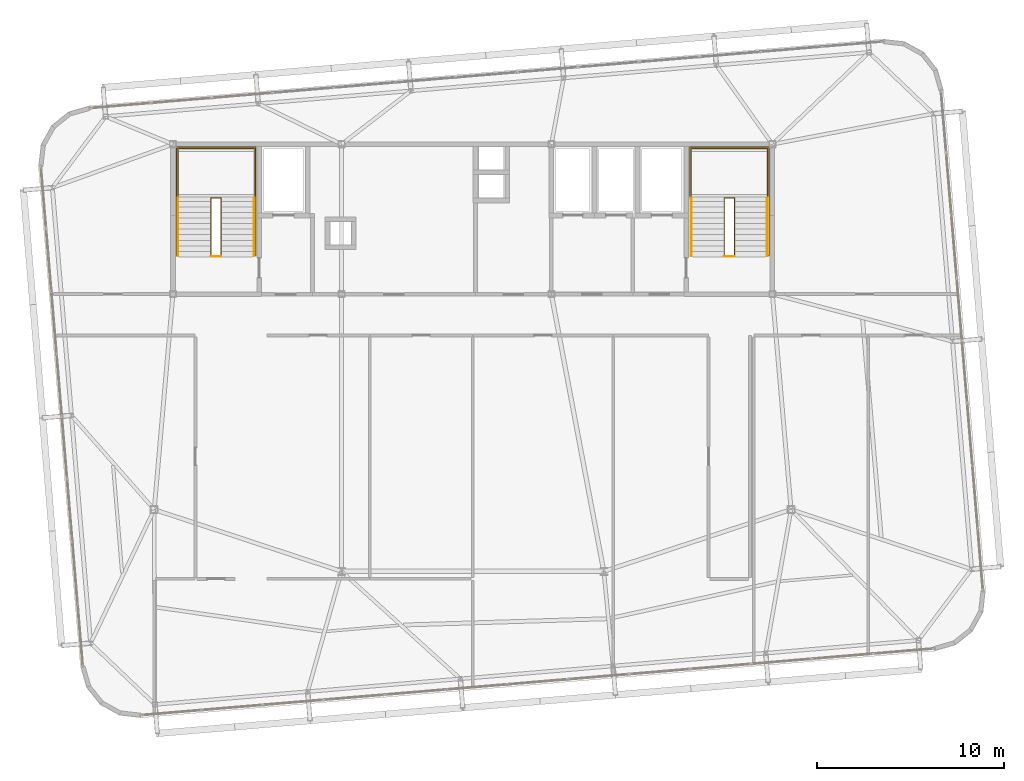
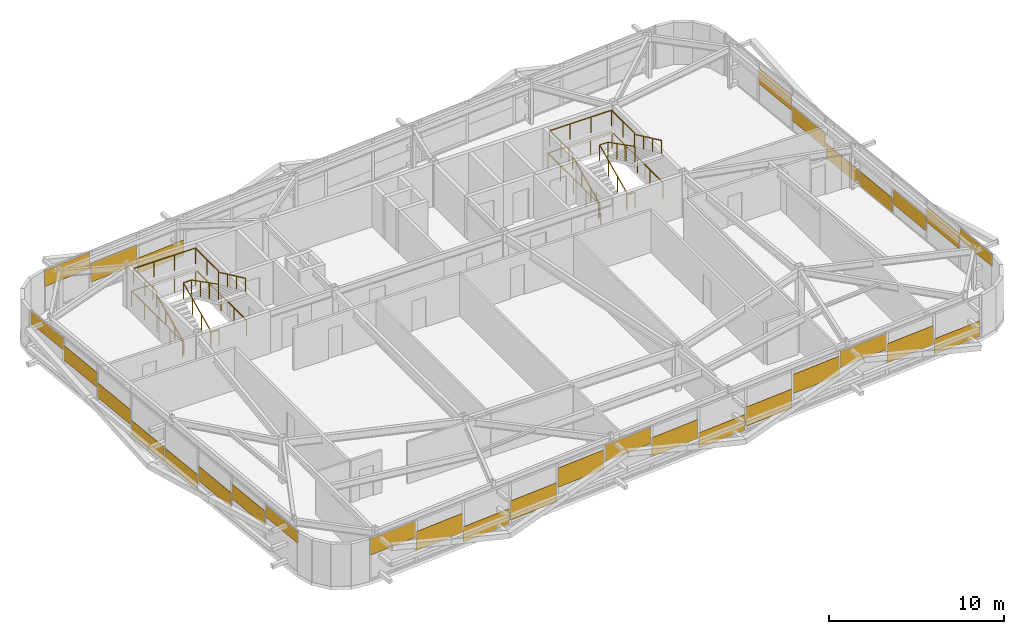
# One storey, part 45 of 46: 31 coverings, 12 railings.
"""IFC4 building model written with IfcOpenShell, lengths in metres."""

from ifc_helpers import new_model, si_unit, direction, frame, origin, origin_2d, place, context, subcontext, project, spatial, rectangle, extrude, source, transform, mapped, material, layer, layer_set, type_object, element, save


model = new_model("IFC4")

# Units and contexts
model_context = context("Model", 3, precision=1e-05, world=origin(), true_north=direction((0.0, 1.0)))
body_context = subcontext(model_context, "Body", "Model", "MODEL_VIEW")
ifc_project = project(units=[si_unit("LENGTHUNIT", "METRE"), si_unit("AREAUNIT", "SQUARE_METRE"), si_unit("VOLUMEUNIT", "CUBIC_METRE"), si_unit("PLANEANGLEUNIT", "RADIAN"), si_unit("MASSUNIT", "GRAM", prefix="KILO")], contexts=[model_context])

# Site, building, storey
site_placement = place(None, origin())
site = spatial("IfcSite", under=ifc_project, at=site_placement, CompositionType="ELEMENT")
building_placement = place(site_placement, origin())
building = spatial("IfcBuilding", under=site, at=building_placement, Name="Taldren Reach Tower", CompositionType="ELEMENT")
storey_placement = place(building_placement, frame((0.0, 0.0, 188.300048828125)))
storey = spatial("IfcBuildingStorey", under=building, at=storey_placement, Name="L57", CompositionType="ELEMENT", Elevation=188.300048828125)

# Railings
ifc_material_1 = material(Name="Steel Gr 350 (C350L0)", Category="steel")
ifc_layer_1 = layer(ifc_material_1, 0.050048828125)
ifc_layer_set_1 = layer_set([ifc_layer_1], Name="Steel Gr 350 (C350L0)")
railing_type_1 = type_object("IfcRailingType", Name="RL-STAIR-GR", PredefinedType="GUARDRAIL", material=ifc_layer_set_1)
railing_1_placement = place(storey_placement, frame((19.260009765625, 29.135009765625, 1.574951171875)))
element("IfcRailing", 1, at=railing_1_placement, inside=storey, type_object=railing_type_1, Name="Stair half-landing perimeter guard ST1-L57", PredefinedType="GUARDRAIL", context=body_context, shape_type="SweptSolid", body=[
    extrude(rectangle(XDim=0.047852, YDim=0.047852, at=origin_2d()), frame((0.0, 0.0, 1.09619140625), z_axis=(0.0, 1.0, 0.0), x_axis=(-1.0, 0.0, 0.0)), (0.0, 0.0, 1.0), 2.64501953125),
    extrude(rectangle(XDim=0.047852, YDim=0.047852, at=origin_2d()), frame((0.0, 2.64501953125, 1.09619140625), z_axis=(1.0, 0.0, 0.0), x_axis=(0.0, 1.0, 0.0)), (0.0, 0.0, 1.0), 4.080078125),
    extrude(rectangle(XDim=0.047852, YDim=0.047852, at=origin_2d()), frame((4.080078125, 2.64501953125, 1.09619140625), z_axis=(0.0, -1.0, 0.0), x_axis=(1.0, 0.0, 0.0)), (0.0, 0.0, 1.0), 2.64501953125),
    extrude(rectangle(XDim=0.041992, YDim=0.041992, at=origin_2d()), origin(), (0.0, 0.0, 1.0), 1.072021484375),
    extrude(rectangle(XDim=0.041992, YDim=0.041992, at=origin_2d()), frame((0.0, 1.322509765625, 0.0)), (0.0, 0.0, 1.0), 1.072021484375),
    extrude(rectangle(XDim=0.041992, YDim=0.041992, at=origin_2d()), frame((0.0, 2.64501953125, 0.0)), (0.0, 0.0, 1.0), 1.072021484375),
    extrude(rectangle(XDim=0.041992, YDim=0.041992, at=origin_2d()), frame((1.360107421875, 2.64501953125, 0.0)), (0.0, 0.0, 1.0), 1.072021484375),
    extrude(rectangle(XDim=0.041992, YDim=0.041992, at=origin_2d()), frame((2.719970703125, 2.64501953125, 0.0)), (0.0, 0.0, 1.0), 1.072021484375),
    extrude(rectangle(XDim=0.041992, YDim=0.041992, at=origin_2d()), frame((4.080078125, 2.64501953125, 0.0)), (0.0, 0.0, 1.0), 1.072021484375),
    extrude(rectangle(XDim=0.041992, YDim=0.041992, at=origin_2d()), frame((4.080078125, 1.322509765625, 0.0)), (0.0, 0.0, 1.0), 1.072021484375),
    extrude(rectangle(XDim=0.041992, YDim=0.041992, at=origin_2d()), frame((4.080078125, 0.0, 0.0)), (0.0, 0.0, 1.0), 1.072021484375),
])
railing_2_placement = place(storey_placement, frame((21.030029296875, 26.050048828125, 0.13134765625)))
element("IfcRailing", 2, at=railing_2_placement, inside=storey, type_object=railing_type_1, Name="Stairwell inner guard ST1-L57", PredefinedType="GUARDRAIL", context=body_context, shape_type="SweptSolid", body=[
    extrude(rectangle(XDim=0.047852, YDim=0.047852, at=origin_2d()), frame((0.0, 0.0, 1.09619140625), z_axis=(0.0, 0.905737652094, 0.423838773095), x_axis=(-1.0, 0.0, 0.0)), (0.0, 0.0, 1.0), 3.406005859375),
    extrude(rectangle(XDim=0.047852, YDim=0.047852, at=origin_2d()), frame((0.0, 3.0849609375, 2.53955078125), z_axis=(1.0, 0.0, 0.0), x_axis=(0.0, 1.0, 0.0)), (0.0, 0.0, 1.0), 0.5400390625),
    extrude(rectangle(XDim=0.047852, YDim=0.047852, at=origin_2d()), frame((0.5400390625, 3.0849609375, 2.53955078125), z_axis=(0.0, -0.890645957773, 0.45469745755), x_axis=(1.0, 0.0, 0.0)), (0.0, 0.0, 1.0), 3.463623046875),
    extrude(rectangle(XDim=0.041992, YDim=0.041992, at=origin_2d()), origin(), (0.0, 0.0, 1.0), 1.072021484375),
    extrude(rectangle(XDim=0.041992, YDim=0.041992, at=origin_2d()), frame((0.0, 1.0283203125, 0.481201171875)), (0.0, 0.0, 1.0), 1.072021484375),
    extrude(rectangle(XDim=0.041992, YDim=0.041992, at=origin_2d()), frame((0.0, 2.056640625, 0.96240234375)), (0.0, 0.0, 1.0), 1.072021484375),
    extrude(rectangle(XDim=0.041992, YDim=0.041992, at=origin_2d()), frame((0.0, 3.0849609375, 1.443603515625)), (0.0, 0.0, 1.0), 1.072021484375),
    extrude(rectangle(XDim=0.041992, YDim=0.041992, at=origin_2d()), frame((0.5400390625, 3.0849609375, 1.443603515625)), (0.0, 0.0, 1.0), 1.072021484375),
    extrude(rectangle(XDim=0.041992, YDim=0.041992, at=origin_2d()), frame((0.5400390625, 2.056640625, 1.968505859375)), (0.0, 0.0, 1.0), 1.072021484375),
    extrude(rectangle(XDim=0.041992, YDim=0.041992, at=origin_2d()), frame((0.5400390625, 1.0283203125, 2.49365234375)), (0.0, 0.0, 1.0), 1.072021484375),
    extrude(rectangle(XDim=0.041992, YDim=0.041992, at=origin_2d()), frame((0.5400390625, 0.0, 3.0185546875)), (0.0, 0.0, 1.0), 1.072021484375),
])
railing_3_placement = place(storey_placement, frame((21.030029296875, 26.010009765625, 0.0)))
element("IfcRailing", 3, at=railing_3_placement, inside=storey, type_object=railing_type_1, Name="Stairwell landing slot guard ST1-L57", PredefinedType="GUARDRAIL", context=body_context, shape_type="SweptSolid", body=[
    extrude(rectangle(XDim=0.047852, YDim=0.047852, at=origin_2d()), frame((0.0, 0.0, 1.09619140625), z_axis=(1.0, 0.0, 0.0), x_axis=(0.0, 1.0, 0.0)), (0.0, 0.0, 1.0), 0.5400390625),
    extrude(rectangle(XDim=0.041992, YDim=0.041992, at=origin_2d()), origin(), (0.0, 0.0, 1.0), 1.072021484375),
    extrude(rectangle(XDim=0.041992, YDim=0.041992, at=origin_2d()), frame((0.5400390625, 0.0, 0.0)), (0.0, 0.0, 1.0), 1.072021484375),
])
railing_4_placement = place(storey_placement, frame((19.18994140625, 26.050048828125, 0.0)))
element("IfcRailing", 4, at=railing_4_placement, inside=storey, type_object=railing_type_1, Name="Stairwell floor opening guard ST1-L57", PredefinedType="GUARDRAIL", context=body_context, shape_type="SweptSolid", body=[
    extrude(rectangle(XDim=0.047852, YDim=0.047852, at=origin_2d()), frame((0.0, 0.0, 1.09619140625), z_axis=(0.0, 1.0, 0.0), x_axis=(-1.0, 0.0, 0.0)), (0.0, 0.0, 1.0), 5.800048828125),
    extrude(rectangle(XDim=0.047852, YDim=0.047852, at=origin_2d()), frame((0.0, 5.800048828125, 1.09619140625), z_axis=(1.0, 0.0, 0.0), x_axis=(0.0, 1.0, 0.0)), (0.0, 0.0, 1.0), 4.219970703125),
    extrude(rectangle(XDim=0.047852, YDim=0.047852, at=origin_2d()), frame((4.219970703125, 5.800048828125, 1.09619140625), z_axis=(0.0, -1.0, 0.0), x_axis=(1.0, 0.0, 0.0)), (0.0, 0.0, 1.0), 5.800048828125),
    extrude(rectangle(XDim=0.041992, YDim=0.041992, at=origin_2d()), origin(), (0.0, 0.0, 1.0), 1.072021484375),
    extrude(rectangle(XDim=0.041992, YDim=0.041992, at=origin_2d()), frame((0.0, 1.449951171875, 0.0)), (0.0, 0.0, 1.0), 1.072021484375),
    extrude(rectangle(XDim=0.041992, YDim=0.041992, at=origin_2d()), frame((0.0, 2.89990234375, 0.0)), (0.0, 0.0, 1.0), 1.072021484375),
    extrude(rectangle(XDim=0.041992, YDim=0.041992, at=origin_2d()), frame((0.0, 4.35009765625, 0.0)), (0.0, 0.0, 1.0), 1.072021484375),
    extrude(rectangle(XDim=0.041992, YDim=0.041992, at=origin_2d()), frame((0.0, 5.800048828125, 0.0)), (0.0, 0.0, 1.0), 1.072021484375),
    extrude(rectangle(XDim=0.041992, YDim=0.041992, at=origin_2d()), frame((1.40673828125, 5.800048828125, 0.0)), (0.0, 0.0, 1.0), 1.072021484375),
    extrude(rectangle(XDim=0.041992, YDim=0.041992, at=origin_2d()), frame((2.813232421875, 5.800048828125, 0.0)), (0.0, 0.0, 1.0), 1.072021484375),
    extrude(rectangle(XDim=0.041992, YDim=0.041992, at=origin_2d()), frame((4.219970703125, 5.800048828125, 0.0)), (0.0, 0.0, 1.0), 1.072021484375),
    extrude(rectangle(XDim=0.041992, YDim=0.041992, at=origin_2d()), frame((4.219970703125, 4.35009765625, 0.0)), (0.0, 0.0, 1.0), 1.072021484375),
    extrude(rectangle(XDim=0.041992, YDim=0.041992, at=origin_2d()), frame((4.219970703125, 2.89990234375, 0.0)), (0.0, 0.0, 1.0), 1.072021484375),
    extrude(rectangle(XDim=0.041992, YDim=0.041992, at=origin_2d()), frame((4.219970703125, 1.449951171875, 0.0)), (0.0, 0.0, 1.0), 1.072021484375),
    extrude(rectangle(XDim=0.041992, YDim=0.041992, at=origin_2d()), frame((4.219970703125, 0.0, 0.0)), (0.0, 0.0, 1.0), 1.072021484375),
])
railing_5_placement = place(storey_placement, frame((46.659912109375, 29.135009765625, 1.574951171875)))
element("IfcRailing", 5, at=railing_5_placement, inside=storey, type_object=railing_type_1, Name="Stair half-landing perimeter guard ST2-L57", PredefinedType="GUARDRAIL", context=body_context, shape_type="SweptSolid", body=[
    extrude(rectangle(XDim=0.047852, YDim=0.047852, at=origin_2d()), frame((0.0, 0.0, 1.09619140625), z_axis=(0.0, 1.0, 0.0), x_axis=(-1.0, 0.0, 0.0)), (0.0, 0.0, 1.0), 2.64501953125),
    extrude(rectangle(XDim=0.047852, YDim=0.047852, at=origin_2d()), frame((0.0, 2.64501953125, 1.09619140625), z_axis=(1.0, 0.0, 0.0), x_axis=(0.0, 1.0, 0.0)), (0.0, 0.0, 1.0), 4.080078125),
    extrude(rectangle(XDim=0.047852, YDim=0.047852, at=origin_2d()), frame((4.080078125, 2.64501953125, 1.09619140625), z_axis=(0.0, -1.0, 0.0), x_axis=(1.0, 0.0, 0.0)), (0.0, 0.0, 1.0), 2.64501953125),
    extrude(rectangle(XDim=0.041992, YDim=0.041992, at=origin_2d()), origin(), (0.0, 0.0, 1.0), 1.072021484375),
    extrude(rectangle(XDim=0.041992, YDim=0.041992, at=origin_2d()), frame((0.0, 1.322509765625, 0.0)), (0.0, 0.0, 1.0), 1.072021484375),
    extrude(rectangle(XDim=0.041992, YDim=0.041992, at=origin_2d()), frame((0.0, 2.64501953125, 0.0)), (0.0, 0.0, 1.0), 1.072021484375),
    extrude(rectangle(XDim=0.041992, YDim=0.041992, at=origin_2d()), frame((1.360107421875, 2.64501953125, 0.0)), (0.0, 0.0, 1.0), 1.072021484375),
    extrude(rectangle(XDim=0.041992, YDim=0.041992, at=origin_2d()), frame((2.719970703125, 2.64501953125, 0.0)), (0.0, 0.0, 1.0), 1.072021484375),
    extrude(rectangle(XDim=0.041992, YDim=0.041992, at=origin_2d()), frame((4.080078125, 2.64501953125, 0.0)), (0.0, 0.0, 1.0), 1.072021484375),
    extrude(rectangle(XDim=0.041992, YDim=0.041992, at=origin_2d()), frame((4.080078125, 1.322509765625, 0.0)), (0.0, 0.0, 1.0), 1.072021484375),
    extrude(rectangle(XDim=0.041992, YDim=0.041992, at=origin_2d()), frame((4.080078125, 0.0, 0.0)), (0.0, 0.0, 1.0), 1.072021484375),
])
railing_6_placement = place(storey_placement, frame((48.429931640625, 26.050048828125, 0.13134765625)))
element("IfcRailing", 6, at=railing_6_placement, inside=storey, type_object=railing_type_1, Name="Stairwell inner guard ST2-L57", PredefinedType="GUARDRAIL", context=body_context, shape_type="SweptSolid", body=[
    extrude(rectangle(XDim=0.047852, YDim=0.047852, at=origin_2d()), frame((0.0, 0.0, 1.09619140625), z_axis=(0.0, 0.905737652094, 0.423838773095), x_axis=(-1.0, 0.0, 0.0)), (0.0, 0.0, 1.0), 3.406005859375),
    extrude(rectangle(XDim=0.047852, YDim=0.047852, at=origin_2d()), frame((0.0, 3.0849609375, 2.53955078125), z_axis=(1.0, 0.0, 0.0), x_axis=(0.0, 1.0, 0.0)), (0.0, 0.0, 1.0), 0.5400390625),
    extrude(rectangle(XDim=0.047852, YDim=0.047852, at=origin_2d()), frame((0.5400390625, 3.0849609375, 2.53955078125), z_axis=(0.0, -0.890645957773, 0.45469745755), x_axis=(1.0, 0.0, 0.0)), (0.0, 0.0, 1.0), 3.463623046875),
    extrude(rectangle(XDim=0.041992, YDim=0.041992, at=origin_2d()), origin(), (0.0, 0.0, 1.0), 1.072021484375),
    extrude(rectangle(XDim=0.041992, YDim=0.041992, at=origin_2d()), frame((0.0, 1.0283203125, 0.481201171875)), (0.0, 0.0, 1.0), 1.072021484375),
    extrude(rectangle(XDim=0.041992, YDim=0.041992, at=origin_2d()), frame((0.0, 2.056640625, 0.96240234375)), (0.0, 0.0, 1.0), 1.072021484375),
    extrude(rectangle(XDim=0.041992, YDim=0.041992, at=origin_2d()), frame((0.0, 3.0849609375, 1.443603515625)), (0.0, 0.0, 1.0), 1.072021484375),
    extrude(rectangle(XDim=0.041992, YDim=0.041992, at=origin_2d()), frame((0.5400390625, 3.0849609375, 1.443603515625)), (0.0, 0.0, 1.0), 1.072021484375),
    extrude(rectangle(XDim=0.041992, YDim=0.041992, at=origin_2d()), frame((0.5400390625, 2.056640625, 1.968505859375)), (0.0, 0.0, 1.0), 1.072021484375),
    extrude(rectangle(XDim=0.041992, YDim=0.041992, at=origin_2d()), frame((0.5400390625, 1.0283203125, 2.49365234375)), (0.0, 0.0, 1.0), 1.072021484375),
    extrude(rectangle(XDim=0.041992, YDim=0.041992, at=origin_2d()), frame((0.5400390625, 0.0, 3.0185546875)), (0.0, 0.0, 1.0), 1.072021484375),
])
railing_7_placement = place(storey_placement, frame((48.429931640625, 26.010009765625, 0.0)))
element("IfcRailing", 7, at=railing_7_placement, inside=storey, type_object=railing_type_1, Name="Stairwell landing slot guard ST2-L57", PredefinedType="GUARDRAIL", context=body_context, shape_type="SweptSolid", body=[
    extrude(rectangle(XDim=0.047852, YDim=0.047852, at=origin_2d()), frame((0.0, 0.0, 1.09619140625), z_axis=(1.0, 0.0, 0.0), x_axis=(0.0, 1.0, 0.0)), (0.0, 0.0, 1.0), 0.5400390625),
    extrude(rectangle(XDim=0.041992, YDim=0.041992, at=origin_2d()), origin(), (0.0, 0.0, 1.0), 1.072021484375),
    extrude(rectangle(XDim=0.041992, YDim=0.041992, at=origin_2d()), frame((0.5400390625, 0.0, 0.0)), (0.0, 0.0, 1.0), 1.072021484375),
])
railing_8_placement = place(storey_placement, frame((46.590087890625, 26.050048828125, 0.0)))
element("IfcRailing", 8, at=railing_8_placement, inside=storey, type_object=railing_type_1, Name="Stairwell floor opening guard ST2-L57", PredefinedType="GUARDRAIL", context=body_context, shape_type="SweptSolid", body=[
    extrude(rectangle(XDim=0.047852, YDim=0.047852, at=origin_2d()), frame((0.0, 0.0, 1.09619140625), z_axis=(0.0, 1.0, 0.0), x_axis=(-1.0, 0.0, 0.0)), (0.0, 0.0, 1.0), 5.800048828125),
    extrude(rectangle(XDim=0.047852, YDim=0.047852, at=origin_2d()), frame((0.0, 5.800048828125, 1.09619140625), z_axis=(1.0, 0.0, 0.0), x_axis=(0.0, 1.0, 0.0)), (0.0, 0.0, 1.0), 4.219970703125),
    extrude(rectangle(XDim=0.047852, YDim=0.047852, at=origin_2d()), frame((4.219970703125, 5.800048828125, 1.09619140625), z_axis=(0.0, -1.0, 0.0), x_axis=(1.0, 0.0, 0.0)), (0.0, 0.0, 1.0), 5.800048828125),
    extrude(rectangle(XDim=0.041992, YDim=0.041992, at=origin_2d()), origin(), (0.0, 0.0, 1.0), 1.072021484375),
    extrude(rectangle(XDim=0.041992, YDim=0.041992, at=origin_2d()), frame((0.0, 1.449951171875, 0.0)), (0.0, 0.0, 1.0), 1.072021484375),
    extrude(rectangle(XDim=0.041992, YDim=0.041992, at=origin_2d()), frame((0.0, 2.89990234375, 0.0)), (0.0, 0.0, 1.0), 1.072021484375),
    extrude(rectangle(XDim=0.041992, YDim=0.041992, at=origin_2d()), frame((0.0, 4.35009765625, 0.0)), (0.0, 0.0, 1.0), 1.072021484375),
    extrude(rectangle(XDim=0.041992, YDim=0.041992, at=origin_2d()), frame((0.0, 5.800048828125, 0.0)), (0.0, 0.0, 1.0), 1.072021484375),
    extrude(rectangle(XDim=0.041992, YDim=0.041992, at=origin_2d()), frame((1.40673828125, 5.800048828125, 0.0)), (0.0, 0.0, 1.0), 1.072021484375),
    extrude(rectangle(XDim=0.041992, YDim=0.041992, at=origin_2d()), frame((2.813232421875, 5.800048828125, 0.0)), (0.0, 0.0, 1.0), 1.072021484375),
    extrude(rectangle(XDim=0.041992, YDim=0.041992, at=origin_2d()), frame((4.219970703125, 5.800048828125, 0.0)), (0.0, 0.0, 1.0), 1.072021484375),
    extrude(rectangle(XDim=0.041992, YDim=0.041992, at=origin_2d()), frame((4.219970703125, 4.35009765625, 0.0)), (0.0, 0.0, 1.0), 1.072021484375),
    extrude(rectangle(XDim=0.041992, YDim=0.041992, at=origin_2d()), frame((4.219970703125, 2.89990234375, 0.0)), (0.0, 0.0, 1.0), 1.072021484375),
    extrude(rectangle(XDim=0.041992, YDim=0.041992, at=origin_2d()), frame((4.219970703125, 1.449951171875, 0.0)), (0.0, 0.0, 1.0), 1.072021484375),
    extrude(rectangle(XDim=0.041992, YDim=0.041992, at=origin_2d()), frame((4.219970703125, 0.0, 0.0)), (0.0, 0.0, 1.0), 1.072021484375),
])
ifc_material_2 = material(Name="Stainless Steel Gr 316", Category="steel")
ifc_layer_2 = layer(ifc_material_2, 0.048095703125)
ifc_layer_set_2 = layer_set([ifc_layer_2], Name="Stainless Steel Gr 316")
railing_type_2 = type_object("IfcRailingType", Name="RL-STAIR-HR", PredefinedType="HANDRAIL", material=ifc_layer_set_2)
railing_9_placement = place(storey_placement, frame((19.27001953125, 26.050048828125, 0.13134765625)))
element("IfcRailing", 9, at=railing_9_placement, inside=storey, type_object=railing_type_2, Name="Stair flight handrail ST1-L57-1", PredefinedType="HANDRAIL", context=body_context, shape_type="SweptSolid", body=[
    extrude(rectangle(XDim=0.047852, YDim=0.047852, at=origin_2d()), frame((0.0, 0.0, 0.89599609375), z_axis=(0.0, 0.905737652094, 0.423838773095), x_axis=(-1.0, 0.0, 0.0)), (0.0, 0.0, 1.0), 3.406005859375),
    extrude(rectangle(XDim=0.041992, YDim=0.041992, at=origin_2d()), origin(), (0.0, 0.0, 1.0), 0.871826171875),
    extrude(rectangle(XDim=0.041992, YDim=0.041992, at=origin_2d()), frame((0.0, 1.0283203125, 0.481201171875)), (0.0, 0.0, 1.0), 0.871826171875),
    extrude(rectangle(XDim=0.041992, YDim=0.041992, at=origin_2d()), frame((0.0, 2.056640625, 0.96240234375)), (0.0, 0.0, 1.0), 0.871826171875),
    extrude(rectangle(XDim=0.041992, YDim=0.041992, at=origin_2d()), frame((0.0, 3.0849609375, 1.443603515625)), (0.0, 0.0, 1.0), 0.871826171875),
])
railing_10_placement = place(storey_placement, frame((23.330078125, 29.135009765625, 1.7060546875)))
element("IfcRailing", 10, at=railing_10_placement, inside=storey, type_object=railing_type_2, Name="Stair flight handrail ST1-L57-2", PredefinedType="HANDRAIL", context=body_context, shape_type="SweptSolid", body=[
    extrude(rectangle(XDim=0.047852, YDim=0.047852, at=origin_2d()), frame((0.0, 0.0, 0.89599609375), z_axis=(0.0, -0.905710134349, 0.423897573167), x_axis=(1.0, 0.0, 0.0)), (0.0, 0.0, 1.0), 3.406005859375),
    extrude(rectangle(XDim=0.041992, YDim=0.041992, at=origin_2d()), origin(), (0.0, 0.0, 1.0), 0.871826171875),
    extrude(rectangle(XDim=0.041992, YDim=0.041992, at=origin_2d()), frame((0.0, -1.0283203125, 0.481201171875)), (0.0, 0.0, 1.0), 0.871826171875),
    extrude(rectangle(XDim=0.041992, YDim=0.041992, at=origin_2d()), frame((0.0, -2.056640625, 0.962646484375)), (0.0, 0.0, 1.0), 0.871826171875),
    extrude(rectangle(XDim=0.041992, YDim=0.041992, at=origin_2d()), frame((0.0, -3.0849609375, 1.44384765625)), (0.0, 0.0, 1.0), 0.871826171875),
])
railing_11_placement = place(storey_placement, frame((46.669921875, 26.050048828125, 0.13134765625)))
element("IfcRailing", 11, at=railing_11_placement, inside=storey, type_object=railing_type_2, Name="Stair flight handrail ST2-L57-1", PredefinedType="HANDRAIL", context=body_context, shape_type="SweptSolid", body=[
    extrude(rectangle(XDim=0.047852, YDim=0.047852, at=origin_2d()), frame((0.0, 0.0, 0.89599609375), z_axis=(0.0, 0.905737652094, 0.423838773095), x_axis=(-1.0, 0.0, 0.0)), (0.0, 0.0, 1.0), 3.406005859375),
    extrude(rectangle(XDim=0.041992, YDim=0.041992, at=origin_2d()), origin(), (0.0, 0.0, 1.0), 0.871826171875),
    extrude(rectangle(XDim=0.041992, YDim=0.041992, at=origin_2d()), frame((0.0, 1.0283203125, 0.481201171875)), (0.0, 0.0, 1.0), 0.871826171875),
    extrude(rectangle(XDim=0.041992, YDim=0.041992, at=origin_2d()), frame((0.0, 2.056640625, 0.96240234375)), (0.0, 0.0, 1.0), 0.871826171875),
    extrude(rectangle(XDim=0.041992, YDim=0.041992, at=origin_2d()), frame((0.0, 3.0849609375, 1.443603515625)), (0.0, 0.0, 1.0), 0.871826171875),
])
railing_12_placement = place(storey_placement, frame((50.72998046875, 29.135009765625, 1.7060546875)))
element("IfcRailing", 12, at=railing_12_placement, inside=storey, type_object=railing_type_2, Name="Stair flight handrail ST2-L57-2", PredefinedType="HANDRAIL", context=body_context, shape_type="SweptSolid", body=[
    extrude(rectangle(XDim=0.047852, YDim=0.047852, at=origin_2d()), frame((0.0, 0.0, 0.89599609375), z_axis=(0.0, -0.905710134349, 0.423897573167), x_axis=(1.0, 0.0, 0.0)), (0.0, 0.0, 1.0), 3.406005859375),
    extrude(rectangle(XDim=0.041992, YDim=0.041992, at=origin_2d()), origin(), (0.0, 0.0, 1.0), 0.871826171875),
    extrude(rectangle(XDim=0.041992, YDim=0.041992, at=origin_2d()), frame((0.0, -1.0283203125, 0.481201171875)), (0.0, 0.0, 1.0), 0.871826171875),
    extrude(rectangle(XDim=0.041992, YDim=0.041992, at=origin_2d()), frame((0.0, -2.056640625, 0.962646484375)), (0.0, 0.0, 1.0), 0.871826171875),
    extrude(rectangle(XDim=0.041992, YDim=0.041992, at=origin_2d()), frame((0.0, -3.0849609375, 1.44384765625)), (0.0, 0.0, 1.0), 0.871826171875),
])

# Coverings
ifc_material_3 = material(Name="Pale Champagne Fluoropolymer Aluminium Spandrel Cladding", Category="aluminium")
ifc_layer_3 = layer(ifc_material_3, 0.0439453125)
ifc_layer_set_3 = layer_set([ifc_layer_3], Name="Pale Champagne Fluoropolymer Aluminium Spandrel Cladding")
covering_type = type_object("IfcCoveringType", Name="CV-CLAD-044", PredefinedType="CLADDING", material=ifc_layer_set_3)
shared_shape_1 = source(origin(), body_context, "Body", "SweptSolid", [
    extrude(rectangle(XDim=3.164306640625, YDim=0.0439453125, at=origin_2d()), origin(), (0.0, 0.0, 1.0), 1.075927734375),
])
covering_1_placement = place(storey_placement, frame((57.98974609375, 4.93701171875, 0.06005859375), z_axis=(0.0, 0.0, 1.0), x_axis=(0.996492854922, 0.083677894865, 0.0)))
element("IfcCovering", 13, at=covering_1_placement, inside=storey, type_object=covering_type, Name="Diagrid closure cladding strip CW-5 panel 13.1 1", PredefinedType="CLADDING", context=body_context, shape_type="MappedRepresentation", body=[
    mapped(shared_shape_1, transform((0.0, 0.0, 0.0), scale=1.0)),
])
shared_shape_2 = source(origin(), body_context, "Body", "SweptSolid", [
    extrude(rectangle(XDim=3.19921875, YDim=0.0439453125, at=origin_2d()), origin(), (0.0, 0.0, 1.0), 1.3359375),
])
for number, where, z_axis, x_axis, name in (
    (14, (22.171875, 1.92919921875, 0.762939453125), (0.0, 0.0, 1.0), (0.996492854922, 0.083677894865, 0.0), "Diagrid closure cladding strip CW-5 panel 2.1 1"),
    (15, (28.687255859375, 2.476318359375, 0.283447265625), (0.0, 0.0, 1.0), (0.996492854922, 0.083677894865, 0.0), "Diagrid closure cladding strip CW-5 panel 4.1 1"),
    (16, (31.945068359375, 2.75, 1.254638671875), (0.0, 0.0, 1.0), (0.996492854922, 0.083677894865, 0.0), "Diagrid closure cladding strip CW-5 panel 5.1 1"),
    (17, (38.460693359375, 3.297119140625, 0.76708984375), (0.0, 0.0, 1.0), (0.996492854922, 0.083677894865, 0.0), "Diagrid closure cladding strip CW-5 panel 7.1 1"),
    (18, (44.97607421875, 3.84423828125, 0.279296875), (0.0, 0.0, 1.0), (0.996492854922, 0.083677894865, 0.0), "Diagrid closure cladding strip CW-5 panel 9.1 1"),
    (19, (48.23388671875, 4.11767578125, 1.25048828125), (0.0, 0.0, 1.0), (0.996492854922, 0.083677894865, 0.0), "Diagrid closure cladding strip CW-5 panel 10.1 1"),
    (20, (54.74951171875, 4.664794921875, 0.77099609375), (0.0, 0.0, 1.0), (0.996492854922, 0.083677894865, 0.0), "Diagrid closure cladding strip CW-5 panel 12.1 1"),
    (21, (19.45068359375, 34.335205078125, 0.762939453125), (0.0, 0.0, 1.0), (-0.99649285657, -0.083677875247, 0.0), "Diagrid closure cladding strip CW-5 panel 12.1 1"),
):
    element("IfcCovering", number, at=place(storey_placement, frame(where, z_axis=z_axis, x_axis=x_axis)), inside=storey, type_object=covering_type, Name=name, PredefinedType="CLADDING", context=body_context, shape_type="MappedRepresentation", body=[
        mapped(shared_shape_2, transform((0.0, 0.0, 0.0), scale=1.0)),
    ])
shared_shape_3 = source(origin(), body_context, "Body", "SweptSolid", [
    extrude(rectangle(XDim=3.19921875, YDim=0.0439453125, at=origin_2d()), origin(), (0.0, 0.0, 1.0), 1.127685546875),
])
covering_2_placement = place(storey_placement, frame((51.49169921875, 4.391357421875, 1.7421875), z_axis=(0.0, 0.0, 1.0), x_axis=(0.996492854922, 0.083677894865, 0.0)))
element("IfcCovering", 22, at=covering_2_placement, inside=storey, type_object=covering_type, Name="Diagrid closure cladding strip CW-5 panel 11.1 1", PredefinedType="CLADDING", context=body_context, shape_type="MappedRepresentation", body=[
    mapped(shared_shape_3, transform((0.0, 0.0, 0.0), scale=1.0)),
])
shared_shape_4 = source(origin(), body_context, "Body", "SweptSolid", [
    extrude(rectangle(XDim=3.19921875, YDim=0.0439453125, at=origin_2d()), origin(), (0.0, 0.0, 1.0), 1.07177734375),
])
covering_3_placement = place(storey_placement, frame((41.71826171875, 3.570556640625, 0.06005859375), z_axis=(0.0, 0.0, 1.0), x_axis=(0.996492854922, 0.083677894865, 0.0)))
element("IfcCovering", 23, at=covering_3_placement, inside=storey, type_object=covering_type, Name="Diagrid closure cladding strip CW-5 panel 8.1 1", PredefinedType="CLADDING", context=body_context, shape_type="MappedRepresentation", body=[
    mapped(shared_shape_4, transform((0.0, 0.0, 0.0), scale=1.0)),
])
shared_shape_5 = source(origin(), body_context, "Body", "SweptSolid", [
    extrude(rectangle(XDim=3.19921875, YDim=0.0439453125, at=origin_2d()), origin(), (0.0, 0.0, 1.0), 1.1318359375),
])
covering_4_placement = place(storey_placement, frame((35.202880859375, 3.0234375, 1.738037109375), z_axis=(0.0, 0.0, 1.0), x_axis=(0.996492854922, 0.083677894865, 0.0)))
element("IfcCovering", 24, at=covering_4_placement, inside=storey, type_object=covering_type, Name="Diagrid closure cladding strip CW-5 panel 6.1 1", PredefinedType="CLADDING", context=body_context, shape_type="MappedRepresentation", body=[
    mapped(shared_shape_5, transform((0.0, 0.0, 0.0), scale=1.0)),
])
shared_shape_6 = source(origin(), body_context, "Body", "SweptSolid", [
    extrude(rectangle(XDim=3.19921875, YDim=0.0439453125, at=origin_2d()), origin(), (0.0, 0.0, 1.0), 1.067626953125),
])
for number, where, z_axis, x_axis, name in (
    (25, (25.429443359375, 2.202880859375, 0.06005859375), (0.0, 0.0, 1.0), (0.996492854922, 0.083677894865, 0.0), "Diagrid closure cladding strip CW-5 panel 3.1 1"),
    (26, (22.708251953125, 34.608642578125, 0.06005859375), (0.0, 0.0, 1.0), (-0.99649285657, -0.083677875247, 0.0), "Diagrid closure cladding strip CW-5 panel 11.1 1"),
):
    element("IfcCovering", number, at=place(storey_placement, frame(where, z_axis=z_axis, x_axis=x_axis)), inside=storey, type_object=covering_type, Name=name, PredefinedType="CLADDING", context=body_context, shape_type="MappedRepresentation", body=[
        mapped(shared_shape_6, transform((0.0, 0.0, 0.0), scale=1.0)),
    ])
shared_shape_7 = source(origin(), body_context, "Body", "SweptSolid", [
    extrude(rectangle(XDim=3.164306640625, YDim=0.0439453125, at=origin_2d()), origin(), (0.0, 0.0, 1.0), 1.135986328125),
])
for number, where, z_axis, x_axis, name in (
    (27, (18.931396484375, 1.6572265625, 1.73388671875), (0.0, 0.0, 1.0), (0.996492854922, 0.083677894865, 0.0), "Diagrid closure cladding strip CW-5 panel 1.1 1"),
    (28, (16.210205078125, 34.06298828125, 1.73388671875), (0.0, 0.0, 1.0), (-0.99649285657, -0.083677875247, 0.0), "Diagrid closure cladding strip CW-5 panel 13.1 1"),
):
    element("IfcCovering", number, at=place(storey_placement, frame(where, z_axis=z_axis, x_axis=x_axis)), inside=storey, type_object=covering_type, Name=name, PredefinedType="CLADDING", context=body_context, shape_type="MappedRepresentation", body=[
        mapped(shared_shape_7, transform((0.0, 0.0, 0.0), scale=1.0)),
    ])
shared_shape_8 = source(origin(), body_context, "Body", "SweptSolid", [
    extrude(rectangle(XDim=3.280029296875, YDim=0.0439453125, at=origin_2d()), origin(), (0.0, 0.0, 1.0), 1.0302734375),
])
for number, where, z_axis, x_axis, name in (
    (29, (12.373779296875, 25.828125, 1.373046875), (0.0, 0.0, 1.0), (0.083677979808, -0.996492847789, 0.0), "Diagrid closure cladding strip CW-5 panel 2.1 1"),
    (30, (12.654052734375, 22.489990234375, 0.705810546875), (0.0, 0.0, 1.0), (0.083677979808, -0.996492847789, 0.0), "Diagrid closure cladding strip CW-5 panel 3.1 1"),
    (31, (13.4951171875, 12.47509765625, 0.705810546875), (0.0, 0.0, 1.0), (0.083677979808, -0.996492847789, 0.0), "Diagrid closure cladding strip CW-5 panel 6.1 1"),
    (32, (13.775390625, 9.136962890625, 1.373046875), (0.0, 0.0, 1.0), (0.083677979808, -0.996492847789, 0.0), "Diagrid closure cladding strip CW-5 panel 7.1 1"),
    (33, (61.826171875, 13.171875, 1.373046875), (0.0, 0.0, 1.0), (-0.083677979808, 0.996492847789, 0.0), "Diagrid closure cladding strip CW-5 panel 2.1 1"),
    (34, (61.5458984375, 16.510009765625, 0.705810546875), (0.0, 0.0, 1.0), (-0.083677979808, 0.996492847789, 0.0), "Diagrid closure cladding strip CW-5 panel 3.1 1"),
    (35, (60.705078125, 26.52490234375, 0.705810546875), (0.0, 0.0, 1.0), (-0.083677979808, 0.996492847789, 0.0), "Diagrid closure cladding strip CW-5 panel 6.1 1"),
    (36, (60.424560546875, 29.863037109375, 1.373046875), (0.0, 0.0, 1.0), (-0.083677979808, 0.996492847789, 0.0), "Diagrid closure cladding strip CW-5 panel 7.1 1"),
):
    element("IfcCovering", number, at=place(storey_placement, frame(where, z_axis=z_axis, x_axis=x_axis)), inside=storey, type_object=covering_type, Name=name, PredefinedType="CLADDING", context=body_context, shape_type="MappedRepresentation", body=[
        mapped(shared_shape_8, transform((0.0, 0.0, 0.0), scale=1.0)),
    ])
shared_shape_9 = source(origin(), body_context, "Body", "SweptSolid", [
    extrude(rectangle(XDim=3.2451171875, YDim=0.0439453125, at=origin_2d()), origin(), (0.0, 0.0, 1.0), 0.829833984375),
])
for number, where, z_axis, x_axis, name in (
    (37, (12.094970703125, 29.14892578125, 2.0400390625), (0.0, 0.0, 1.0), (0.083677979808, -0.996492847789, 0.0), "Diagrid closure cladding strip CW-5 panel 1.1 1"),
    (38, (14.05419921875, 5.816162109375, 2.0400390625), (0.0, 0.0, 1.0), (0.083677979808, -0.996492847789, 0.0), "Diagrid closure cladding strip CW-5 panel 8.1 1"),
    (39, (62.105224609375, 9.85107421875, 2.0400390625), (0.0, 0.0, 1.0), (-0.083677979808, 0.996492847789, 0.0), "Diagrid closure cladding strip CW-5 panel 1.1 1"),
):
    element("IfcCovering", number, at=place(storey_placement, frame(where, z_axis=z_axis, x_axis=x_axis)), inside=storey, type_object=covering_type, Name=name, PredefinedType="CLADDING", context=body_context, shape_type="MappedRepresentation", body=[
        mapped(shared_shape_9, transform((0.0, 0.0, 0.0), scale=1.0)),
    ])
shared_shape_10 = source(origin(), body_context, "Body", "SweptSolid", [
    extrude(rectangle(XDim=3.280029296875, YDim=0.0439453125, at=origin_2d()), origin(), (0.0, 0.0, 1.0), 1.0087890625),
])
for number, where, z_axis, x_axis, name in (
    (40, (12.934326171875, 19.151611328125, 0.06005859375), (0.0, 0.0, 1.0), (0.083677979808, -0.996492847789, 0.0), "Diagrid closure cladding strip CW-5 panel 4.1 1"),
    (41, (13.214599609375, 15.8134765625, 0.06005859375), (0.0, 0.0, 1.0), (0.083677979808, -0.996492847789, 0.0), "Diagrid closure cladding strip CW-5 panel 5.1 1"),
    (42, (61.265625, 19.848388671875, 0.06005859375), (0.0, 0.0, 1.0), (-0.083677979808, 0.996492847789, 0.0), "Diagrid closure cladding strip CW-5 panel 4.1 1"),
    (43, (60.9853515625, 23.1865234375, 0.06005859375), (0.0, 0.0, 1.0), (-0.083677979808, 0.996492847789, 0.0), "Diagrid closure cladding strip CW-5 panel 5.1 1"),
):
    element("IfcCovering", number, at=place(storey_placement, frame(where, z_axis=z_axis, x_axis=x_axis)), inside=storey, type_object=covering_type, Name=name, PredefinedType="CLADDING", context=body_context, shape_type="MappedRepresentation", body=[
        mapped(shared_shape_10, transform((0.0, 0.0, 0.0), scale=1.0)),
    ])

save(model, "model.ifc")
